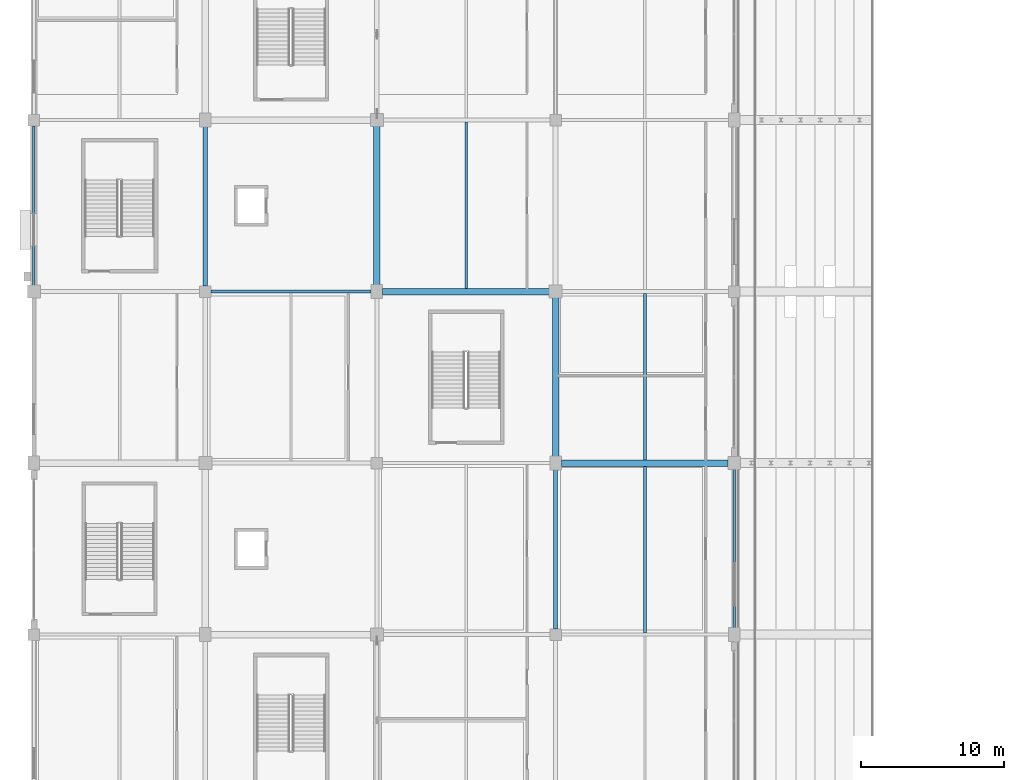
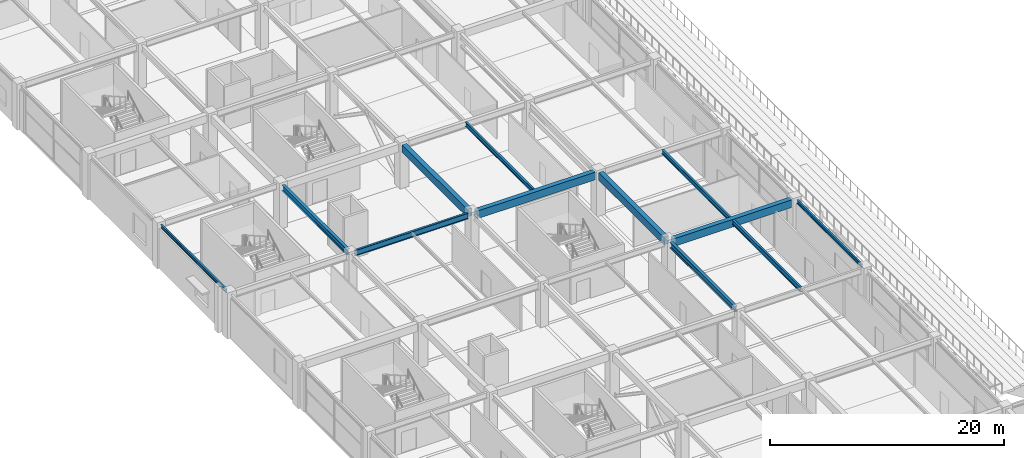
# One storey, part 19 of 134: 12 beams.
"""IFC4 building model written with IfcOpenShell, lengths in metres."""

from ifc_helpers import new_model, si_unit, direction, frame, origin, origin_2d, place, context, subcontext, project, spatial, rectangle, i_section, extrude, material, material_profile, profile_set, type_object, element, save


model = new_model("IFC4")

# Units and contexts
model_context = context("Model", 3, precision=1e-05, world=origin(), true_north=direction((0.0, 1.0)))
body_context = subcontext(model_context, "Body", "Model", "MODEL_VIEW")
ifc_project = project(units=[si_unit("LENGTHUNIT", "METRE"), si_unit("AREAUNIT", "SQUARE_METRE"), si_unit("VOLUMEUNIT", "CUBIC_METRE"), si_unit("PLANEANGLEUNIT", "RADIAN"), si_unit("MASSUNIT", "GRAM", prefix="KILO")], contexts=[model_context])

# Site, building, storey
site_placement = place(None, origin())
site = spatial("IfcSite", under=ifc_project, at=site_placement, CompositionType="ELEMENT")
building_placement = place(site_placement, origin())
building = spatial("IfcBuilding", under=site, at=building_placement, Name="Kazenohara Klinker Stadium", CompositionType="ELEMENT")
storey_placement = place(building_placement, frame((0.0, 0.0, 5.39990234375)))
storey = spatial("IfcBuildingStorey", under=building, at=storey_placement, Name="L01", CompositionType="ELEMENT", Elevation=5.39990234375)

# Beams
ifc_material_1 = material(Name="Steel S355", Category="steel")
ifc_material_profile_1 = material_profile(ifc_material_1, i_section(OverallWidth=0.199951171875, OverallDepth=0.5, WebThickness=0.010009765625, FlangeThickness=0.01611328125, FilletRadius=0.012939453125, at=origin_2d()), Name="H-500x200x10x16")
ifc_profile_set_1 = profile_set([ifc_material_profile_1], Name="Steel S355")
beam_type_1 = type_object("IfcBeamType", Name="BM-JST01", PredefinedType="JOIST", material=ifc_profile_set_1)
beam_1_placement = place(storey_placement, frame((42.75, 60.10009765625, 4.300048828125), z_axis=(0.0, 1.0, 0.0), x_axis=(-1.0, 0.0, 0.0)))
element("IfcBeam", 1, at=beam_1_placement, inside=storey, type_object=beam_type_1, Name="Secondary floor joist SJ01 L01 4/F", PredefinedType="JOIST", context=body_context, shape_type="SweptSolid", body=[
    extrude(i_section(OverallWidth=0.199951171875, OverallDepth=0.5, WebThickness=0.010009765625, FlangeThickness=0.01611328125, FilletRadius=0.012939453125, at=origin_2d()), origin(), (0.0, 0.0, 1.0), 11.6748046875),
])
ifc_material_profile_2 = material_profile(ifc_material_1, i_section(OverallWidth=0.199951171875, OverallDepth=0.449951171875, WebThickness=0.009033203125, FlangeThickness=0.013916015625, FilletRadius=0.012939453125, at=origin_2d()), Name="H-450x200x9x14")
ifc_profile_set_2 = profile_set([ifc_material_profile_2], Name="Steel S355")
beam_type_2 = type_object("IfcBeamType", Name="BM-JST02", PredefinedType="JOIST", material=ifc_profile_set_2)
for number, where, z_axis, x_axis, name in (
    (2, (30.25, 84.22509765625, 4.3251953125), (0.0, 1.0, 0.0), (-1.0, 0.0, 0.0), "Secondary floor joist SJ02 L01 3/H"),
    (3, (42.75, 72.22509765625, 4.3251953125), (0.0, 1.0, 0.0), (-1.0, 0.0, 0.0), "Secondary floor joist SJ02 L01 4/G"),
):
    element("IfcBeam", number, at=place(storey_placement, frame(where, z_axis=z_axis, x_axis=x_axis)), inside=storey, type_object=beam_type_2, Name=name, PredefinedType="JOIST", context=body_context, shape_type="SweptSolid", body=[
        extrude(i_section(OverallWidth=0.199951171875, OverallDepth=0.449951171875, WebThickness=0.009033203125, FlangeThickness=0.013916015625, FilletRadius=0.012939453125, at=origin_2d()), origin(), (0.0, 0.0, 1.0), 11.625),
    ])
ifc_material_2 = material(Name="Concrete C40/50", Category="concrete")
ifc_material_profile_3 = material_profile(ifc_material_2, rectangle(XDim=0.449951171875, YDim=0.800048828125, at=origin_2d()), Name="RC-BM-450x800")
ifc_profile_set_3 = profile_set([ifc_material_profile_3], Name="Concrete C40/50")
beam_type_3 = type_object("IfcBeamType", Name="BM-RC03", PredefinedType="BEAM", material=ifc_profile_set_3)
for number, where, z_axis, x_axis, name in (
    (4, (24.39990234375, 84.0, 4.150146484375), (1.0, 0.0, 0.0), (0.0, 1.0, 0.0), "Primary girder BG03 L01 3-4/H"),
    (5, (36.89990234375, 72.0, 4.150146484375), (1.0, 0.0, 0.0), (0.0, 1.0, 0.0), "Primary girder BG03 L01 4-5/G"),
):
    element("IfcBeam", number, at=place(storey_placement, frame(where, z_axis=z_axis, x_axis=x_axis)), inside=storey, type_object=beam_type_3, Name=name, PredefinedType="BEAM", context=body_context, shape_type="SweptSolid", body=[
        extrude(rectangle(XDim=0.449951171875, YDim=0.800048828125, at=origin_2d()), origin(), (0.0, 0.0, 1.0), 11.68017578125),
    ])
for number, where, z_axis, x_axis, name in (
    (6, (24.0, 84.419921875, 4.150146484375), (0.0, 1.0, 0.0), (-1.0, 0.0, 0.0), "Primary girder BG03 L01 3/H-J"),
    (7, (36.5, 72.419921875, 4.150146484375), (0.0, 1.0, 0.0), (-1.0, 0.0, 0.0), "Primary girder BG03 L01 4/G-H"),
):
    element("IfcBeam", number, at=place(storey_placement, frame(where, z_axis=z_axis, x_axis=x_axis)), inside=storey, type_object=beam_type_3, Name=name, PredefinedType="BEAM", context=body_context, shape_type="SweptSolid", body=[
        extrude(rectangle(XDim=0.449951171875, YDim=0.800048828125, at=origin_2d()), origin(), (0.0, 0.0, 1.0), 11.16015625),
    ])
ifc_material_profile_4 = material_profile(ifc_material_1, i_section(OverallWidth=0.175048828125, OverallDepth=0.35009765625, WebThickness=0.007080078125, FlangeThickness=0.010986328125, FilletRadius=0.012939453125, at=origin_2d()), Name="H-350x175x7x11")
ifc_profile_set_4 = profile_set([ifc_material_profile_4], Name="Steel S355")
beam_type_4 = type_object("IfcBeamType", Name="BM-SPD02", PredefinedType="SPANDREL", material=ifc_profile_set_4)
beam_2_placement = place(storey_placement, frame((0.0, 84.419921875, 4.375), z_axis=(0.0, 1.0, 0.0), x_axis=(-1.0, 0.0, 0.0)))
element("IfcBeam", 8, at=beam_2_placement, inside=storey, type_object=beam_type_4, Name="Primary girder SP02 L01 1/H-J", PredefinedType="SPANDREL", context=body_context, shape_type="SweptSolid", body=[
    extrude(i_section(OverallWidth=0.175048828125, OverallDepth=0.35009765625, WebThickness=0.007080078125, FlangeThickness=0.010986328125, FilletRadius=0.012939453125, at=origin_2d()), origin(), (0.0, 0.0, 1.0), 11.18017578125),
])
beam_3_placement = place(storey_placement, frame((49.0, 60.419921875, 4.375), z_axis=(0.0, 1.0, 0.0), x_axis=(-1.0, 0.0, 0.0)))
element("IfcBeam", 9, at=beam_3_placement, inside=storey, type_object=beam_type_4, Name="Primary girder SP02 L01 5/F-G", PredefinedType="SPANDREL", context=body_context, shape_type="SweptSolid", body=[
    extrude(i_section(OverallWidth=0.175048828125, OverallDepth=0.35009765625, WebThickness=0.007080078125, FlangeThickness=0.010986328125, FilletRadius=0.012939453125, at=origin_2d()), origin(), (0.0, 0.0, 1.0), 11.16015625),
])
ifc_material_profile_5 = material_profile(ifc_material_1, i_section(OverallWidth=0.199951171875, OverallDepth=0.60009765625, WebThickness=0.010986328125, FlangeThickness=0.01708984375, FilletRadius=0.012939453125, at=origin_2d()), Name="H-600x200x11x17")
ifc_profile_set_5 = profile_set([ifc_material_profile_5], Name="Steel S355")
beam_type_5 = type_object("IfcBeamType", Name="BM-ST04", PredefinedType="BEAM", material=ifc_profile_set_5)
beam_4_placement = place(storey_placement, frame((12.39990234375, 84.0, 4.25), z_axis=(1.0, 0.0, 0.0), x_axis=(0.0, 1.0, 0.0)))
element("IfcBeam", 10, at=beam_4_placement, inside=storey, type_object=beam_type_5, Name="Primary girder SB04 L01 2-3/H", PredefinedType="BEAM", context=body_context, shape_type="SweptSolid", body=[
    extrude(i_section(OverallWidth=0.199951171875, OverallDepth=0.60009765625, WebThickness=0.010986328125, FlangeThickness=0.01708984375, FilletRadius=0.012939453125, at=origin_2d()), origin(), (0.0, 0.0, 1.0), 11.2001953125),
])
ifc_material_profile_6 = material_profile(ifc_material_1, i_section(OverallWidth=0.300048828125, OverallDepth=0.587890625, WebThickness=0.011962890625, FlangeThickness=0.02001953125, FilletRadius=0.02197265625, at=origin_2d()), Name="H-588x300x12x20")
ifc_profile_set_6 = profile_set([ifc_material_profile_6], Name="Steel S355")
beam_type_6 = type_object("IfcBeamType", Name="BM-ST05", PredefinedType="BEAM", material=ifc_profile_set_6)
for number, where, z_axis, x_axis, name in (
    (11, (12.0, 84.39990234375, 4.256103515625), (0.0, 1.0, 0.0), (-1.0, 0.0, 0.0), "Primary girder SB05 L01 2/H-J"),
    (12, (36.5, 60.39990234375, 4.256103515625), (0.0, 1.0, 0.0), (-1.0, 0.0, 0.0), "Primary girder SB05 L01 4/F-G"),
):
    element("IfcBeam", number, at=place(storey_placement, frame(where, z_axis=z_axis, x_axis=x_axis)), inside=storey, type_object=beam_type_6, Name=name, PredefinedType="BEAM", context=body_context, shape_type="SweptSolid", body=[
        extrude(i_section(OverallWidth=0.300048828125, OverallDepth=0.587890625, WebThickness=0.011962890625, FlangeThickness=0.02001953125, FilletRadius=0.02197265625, at=origin_2d()), origin(), (0.0, 0.0, 1.0), 11.18017578125),
    ])

save(model, "model.ifc")
